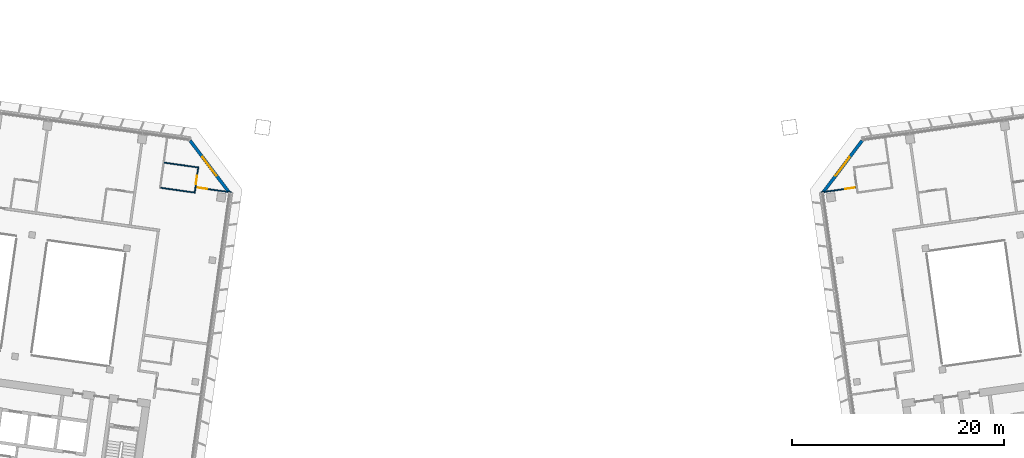
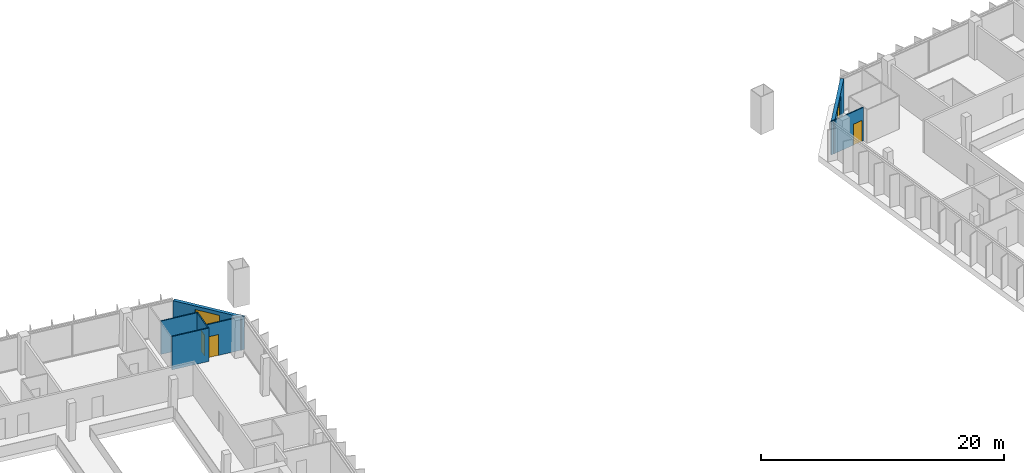
# One storey, part 18 of 26: 7 walls, 3 doors, 2 windows, 5 openings.
"""IFC4 building model written with IfcOpenShell, lengths in metres."""

from ifc_helpers import new_model, si_unit, direction, frame, frame_2d, origin, place, context, subcontext, project, spatial, rectangle, extrude, material, layer, layer_set, type_object, element, fill, save


model = new_model("IFC4")

# Units and contexts
model_context = context("Model", 3, precision=1e-05, world=origin(), true_north=direction((0.0, 1.0)))
body_context = subcontext(model_context, "Body", "Model", "MODEL_VIEW")
ifc_project = project(units=[si_unit("LENGTHUNIT", "METRE"), si_unit("AREAUNIT", "SQUARE_METRE"), si_unit("VOLUMEUNIT", "CUBIC_METRE"), si_unit("PLANEANGLEUNIT", "RADIAN"), si_unit("MASSUNIT", "GRAM", prefix="KILO")], contexts=[model_context])

# Site, building, storey
site_placement = place(None, origin())
site = spatial("IfcSite", under=ifc_project, at=site_placement, CompositionType="ELEMENT")
building_placement = place(site_placement, origin())
building = spatial("IfcBuilding", under=site, at=building_placement, Name="Mirante Cascada Hotel Towers", CompositionType="ELEMENT")
storey_placement = place(building_placement, frame((0.0, 0.0, 161.2)))
storey = spatial("IfcBuildingStorey", under=building, at=storey_placement, Name="L37", CompositionType="ELEMENT", Elevation=161.2)

# Wall
ifc_material_1 = material(Name="Plasterboard on metal studs")
ifc_layer_1 = layer(ifc_material_1, 0.1)
ifc_layer_set_1 = layer_set([ifc_layer_1], Name="Partition 100")
wall_type_1 = type_object("IfcWallType", Name="Partition 100", PredefinedType="PARTITIONING", material=ifc_layer_set_1)
wall_1_placement = place(storey_placement, frame((-31.2699, 12.3161, 0.0), z_axis=(0.0, 0.0, 1.0), x_axis=(-0.9902711, 0.1391513, 0.0)))
element("IfcWall", 1, at=wall_1_placement, inside=storey, type_object=wall_type_1, Name="Wall 1-L37-20", PredefinedType="PARTITIONING", context=body_context, shape_type="SweptSolid", body=[
    extrude(rectangle(XDim=3.3, YDim=0.1, at=frame_2d((1.65, 0.0))), origin(), (0.0, 0.0, 1.0), 3.35),
])

# Wall, opening, door
wall_2_placement = place(storey_placement, frame((-27.8808, 12.3447, 0.0), z_axis=(0.0, 0.0, 1.0), x_axis=(-0.9902697, 0.1391616, 0.0)))
wall_2 = element("IfcWall", 2, at=wall_2_placement, inside=storey, type_object=wall_type_1, Name="Wall 1-L37-22", PredefinedType="PARTITIONING", context=body_context, shape_type="SweptSolid", body=[
    extrude(rectangle(XDim=3.3522, YDim=0.1, at=frame_2d((1.6761, 0.0))), origin(), (0.0, 0.0, 1.0), 3.35),
])
opening_1_placement = place(wall_2_placement, frame((2.3011, 0.0, 0.0)))
opening_1 = element("IfcOpeningElement", 3, at=opening_1_placement, cuts=wall_2, Name="Opening D1-L37-19", PredefinedType="OPENING", context=body_context, shape_type="SweptSolid", body=[
    extrude(rectangle(XDim=0.9, YDim=2.1, at=frame_2d((0.45, 1.05))), frame((0.0, 0.05, 0.0), z_axis=(0.0, -1.0, 0.0), x_axis=(1.0, 0.0, 0.0)), (0.0, 0.0, 1.0), 0.1),
])
ifc_material_2 = material(Name="Timber door leaf", Category="wood")
door_type_1 = type_object("IfcDoorType", Name="Room door DG3 900x2100", OperationType="SINGLE_SWING_LEFT", PredefinedType="DOOR", material=ifc_material_2)
door_1_placement = place(opening_1_placement, origin())
door_1 = element("IfcDoor", 4, at=door_1_placement, inside=storey, type_object=door_type_1, Name="Door D1-L37-19", OperationType="SINGLE_SWING_LEFT", OverallHeight=2.1, OverallWidth=0.9, PredefinedType="DOOR", context=body_context, shape_type="SweptSolid", body=[
    extrude(rectangle(XDim=0.9, YDim=2.1, at=frame_2d((0.45, 1.05))), frame((0.0, 0.025, 0.0), z_axis=(0.0, -1.0, 0.0), x_axis=(1.0, 0.0, 0.0)), (0.0, 0.0, 1.0), 0.05),
])
fill(opening_1, door_1)

# Wall
wall_3_placement = place(storey_placement, frame((-34.2038, 15.152, 0.0), z_axis=(0.0, 0.0, 1.0), x_axis=(0.990267, -0.139181, 0.0)))
element("IfcWall", 5, at=wall_3_placement, inside=storey, type_object=wall_type_1, Name="Wall 1-L37-25", PredefinedType="PARTITIONING", context=body_context, shape_type="SweptSolid", body=[
    extrude(rectangle(XDim=3.3, YDim=0.1, at=frame_2d((1.65, 0.0))), origin(), (0.0, 0.0, 1.0), 3.35),
])

# Wall, opening, door
wall_4_placement = place(storey_placement, frame((-30.9924, 14.6502, 0.0), z_axis=(0.0, 0.0, 1.0), x_axis=(-0.1391689, -0.9902687, 0.0)))
wall_4 = element("IfcWall", 6, at=wall_4_placement, inside=storey, type_object=wall_type_1, Name="Wall 1-L37-27", PredefinedType="PARTITIONING", context=body_context, shape_type="SweptSolid", body=[
    extrude(rectangle(XDim=2.3001, YDim=0.1, at=frame_2d((1.15, 0.0))), origin(), (0.0, 0.0, 1.0), 3.35),
])
opening_2_placement = place(wall_4_placement, frame((0.75, 0.0, 0.0)))
opening_2 = element("IfcOpeningElement", 7, at=opening_2_placement, cuts=wall_4, Name="Opening D1-L37-22", PredefinedType="OPENING", context=body_context, shape_type="SweptSolid", body=[
    extrude(rectangle(XDim=0.8, YDim=2.1, at=frame_2d((0.4, 1.05))), frame((0.0, 0.05, 0.0), z_axis=(0.0, -1.0, 0.0), x_axis=(1.0, 0.0, 0.0)), (0.0, 0.0, 1.0), 0.1),
])
ifc_material_3 = material(Name="Timber door leaf", Category="wood")
door_type_2 = type_object("IfcDoorType", Name="Bathroom door DG4 800x2100", OperationType="SINGLE_SWING_LEFT", PredefinedType="DOOR", material=ifc_material_3)
door_2_placement = place(opening_2_placement, frame((0.8, 0.0, 0.0), z_axis=(0.0, 0.0, 1.0), x_axis=(-1.0, 0.0, 0.0)))
door_2 = element("IfcDoor", 8, at=door_2_placement, inside=storey, type_object=door_type_2, Name="Door D1-L37-22", OperationType="SINGLE_SWING_RIGHT", OverallHeight=2.1, OverallWidth=0.8, PredefinedType="DOOR", context=body_context, shape_type="SweptSolid", body=[
    extrude(rectangle(XDim=0.8, YDim=2.1, at=frame_2d((0.4, 1.05))), frame((0.0, 0.025, 0.0), z_axis=(0.0, -1.0, 0.0), x_axis=(1.0, 0.0, 0.0)), (0.0, 0.0, 1.0), 0.05),
])
fill(opening_2, door_2)

wall_5_placement = place(storey_placement, frame((27.8808, 12.3447, 0.0), z_axis=(0.0, 0.0, 1.0), x_axis=(0.9902697, 0.1391616, 0.0)))
wall_5 = element("IfcWall", 9, at=wall_5_placement, inside=storey, type_object=wall_type_1, Name="Wall 2-L37-22", PredefinedType="PARTITIONING", context=body_context, shape_type="SweptSolid", body=[
    extrude(rectangle(XDim=3.3522, YDim=0.1, at=frame_2d((1.6761, 0.0))), origin(), (0.0, 0.0, 1.0), 3.35),
])
opening_3_placement = place(wall_5_placement, frame((2.3011, 0.0, 0.0)))
opening_3 = element("IfcOpeningElement", 10, at=opening_3_placement, cuts=wall_5, Name="Opening D2-L37-19", PredefinedType="OPENING", context=body_context, shape_type="SweptSolid", body=[
    extrude(rectangle(XDim=0.9, YDim=2.1, at=frame_2d((0.45, 1.05))), frame((0.0, 0.05, 0.0), z_axis=(0.0, -1.0, 0.0), x_axis=(1.0, 0.0, 0.0)), (0.0, 0.0, 1.0), 0.1),
])
door_3_placement = place(opening_3_placement, frame((0.9, 0.0, 0.0), z_axis=(0.0, 0.0, 1.0), x_axis=(-1.0, 0.0, 0.0)))
door_3 = element("IfcDoor", 11, at=door_3_placement, inside=storey, type_object=door_type_1, Name="Door D2-L37-19", OperationType="SINGLE_SWING_RIGHT", OverallHeight=2.1, OverallWidth=0.9, PredefinedType="DOOR", context=body_context, shape_type="SweptSolid", body=[
    extrude(rectangle(XDim=0.9, YDim=2.1, at=frame_2d((0.45, 1.05))), frame((0.0, 0.025, 0.0), z_axis=(0.0, -1.0, 0.0), x_axis=(1.0, 0.0, 0.0)), (0.0, 0.0, 1.0), 0.05),
])
fill(opening_3, door_3)

# Wall, opening, window
ifc_material_4 = material(Name="Precast concrete C40/50", Category="concrete")
ifc_layer_2 = layer(ifc_material_4, 0.3)
ifc_layer_set_2 = layer_set([ifc_layer_2], Name="Precast concrete C40/50 cladding wall 300")
wall_type_2 = type_object("IfcWallType", Name="Precast concrete C40/50 cladding wall 300", PredefinedType="STANDARD", material=ifc_layer_set_2)
wall_6_placement = place(storey_placement, frame((-31.7558, 17.2377, 0.0), z_axis=(0.0, 0.0, 1.0), x_axis=(0.6018141, -0.7986362, 0.0)))
wall_6 = element("IfcWall", 12, at=wall_6_placement, inside=storey, type_object=wall_type_2, Name="Corner cladding wall T1 L37 front inner", PredefinedType="STANDARD", context=body_context, shape_type="SweptSolid", body=[
    extrude(rectangle(XDim=6.1157, YDim=0.3, at=frame_2d((3.0578, 0.0))), origin(), (0.0, 0.0, 1.0), 3.35),
])
opening_4_placement = place(wall_6_placement, frame((1.9578, 0.0, 0.6)))
opening_4 = element("IfcOpeningElement", 13, at=opening_4_placement, cuts=wall_6, Name="Opening W1-37-03", PredefinedType="OPENING", context=body_context, shape_type="SweptSolid", body=[
    extrude(rectangle(XDim=2.2, YDim=2.4, at=frame_2d((1.1, 1.2))), frame((0.0, 0.15, 0.0), z_axis=(0.0, -1.0, 0.0), x_axis=(1.0, 0.0, 0.0)), (0.0, 0.0, 1.0), 0.3),
])
ifc_material_5 = material(Name="Aluminium frame with clear double glazing", Category="aluminium")
window_type = type_object("IfcWindowType", Name="Corner suite window 2200x2400", PartitioningType="DOUBLE_PANEL_VERTICAL", PredefinedType="WINDOW", material=ifc_material_5)
window_1_placement = place(opening_4_placement, origin())
window_1 = element("IfcWindow", 14, at=window_1_placement, inside=storey, type_object=window_type, Name="Window W1-37-03", OverallHeight=2.4, OverallWidth=2.2, PartitioningType="SINGLE_PANEL", PredefinedType="WINDOW", context=body_context, shape_type="SweptSolid", body=[
    extrude(rectangle(XDim=2.2, YDim=2.4, at=frame_2d((1.1, 1.2))), frame((0.0, 0.03, 0.0), z_axis=(0.0, -1.0, 0.0), x_axis=(1.0, 0.0, 0.0)), (0.0, 0.0, 1.0), 0.06),
])
fill(opening_4, window_1)

wall_7_placement = place(storey_placement, frame((31.7558, 17.2377, 0.0), z_axis=(0.0, 0.0, 1.0), x_axis=(-0.6018141, -0.7986362, 0.0)))
wall_7 = element("IfcWall", 15, at=wall_7_placement, inside=storey, type_object=wall_type_2, Name="Corner cladding wall T2 L37 front inner", PredefinedType="STANDARD", context=body_context, shape_type="SweptSolid", body=[
    extrude(rectangle(XDim=6.1157, YDim=0.3, at=frame_2d((3.0578, 0.0))), origin(), (0.0, 0.0, 1.0), 3.35),
])
opening_5_placement = place(wall_7_placement, frame((1.9578, 0.0, 0.6)))
opening_5 = element("IfcOpeningElement", 16, at=opening_5_placement, cuts=wall_7, Name="Opening W2-37-03", PredefinedType="OPENING", context=body_context, shape_type="SweptSolid", body=[
    extrude(rectangle(XDim=2.2, YDim=2.4, at=frame_2d((1.1, 1.2))), frame((0.0, 0.15, 0.0), z_axis=(0.0, -1.0, 0.0), x_axis=(1.0, 0.0, 0.0)), (0.0, 0.0, 1.0), 0.3),
])
window_2_placement = place(opening_5_placement, origin())
window_2 = element("IfcWindow", 17, at=window_2_placement, inside=storey, type_object=window_type, Name="Window W2-37-03", OverallHeight=2.4, OverallWidth=2.2, PartitioningType="SINGLE_PANEL", PredefinedType="WINDOW", context=body_context, shape_type="SweptSolid", body=[
    extrude(rectangle(XDim=2.2, YDim=2.4, at=frame_2d((1.1, 1.2))), frame((0.0, 0.03, 0.0), z_axis=(0.0, -1.0, 0.0), x_axis=(1.0, 0.0, 0.0)), (0.0, 0.0, 1.0), 0.06),
])
fill(opening_5, window_2)

save(model, "model.ifc")
